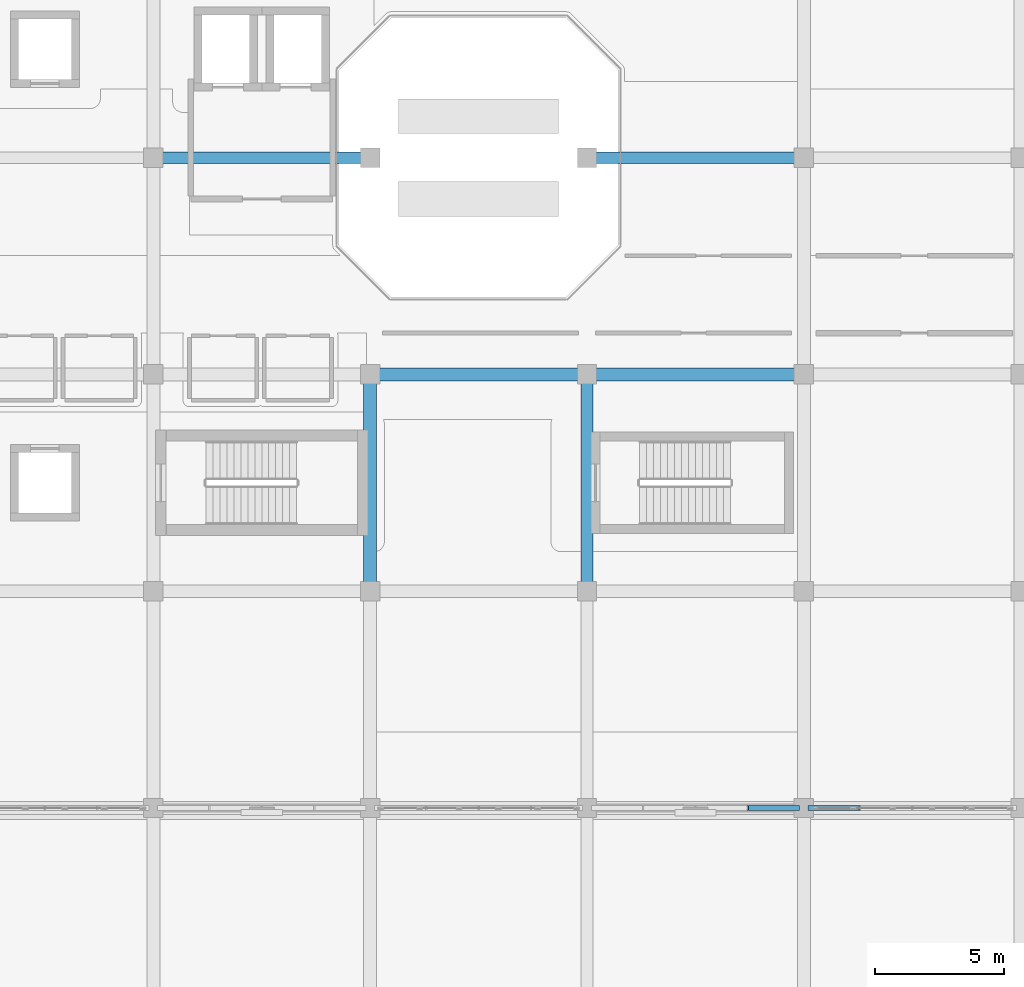
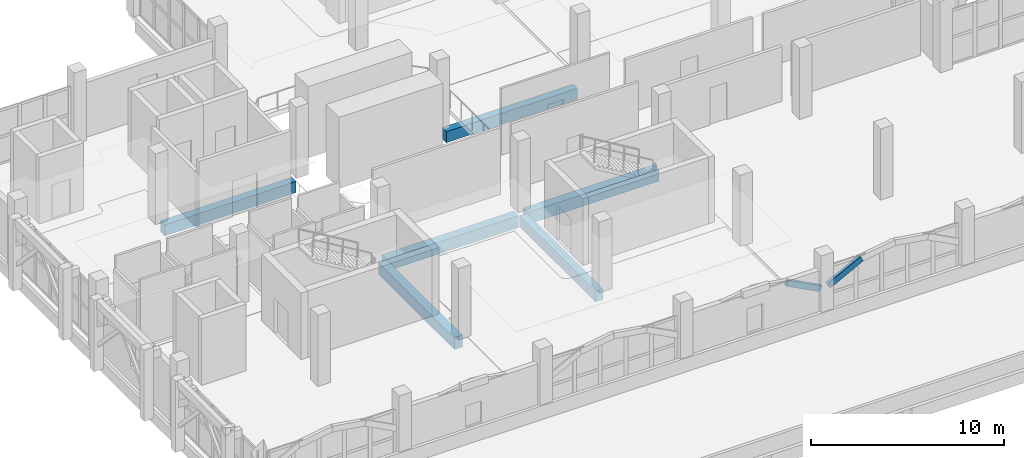
# One storey, part 46 of 114: 6 beams, 2 members.
"""IFC4 building model written with IfcOpenShell, lengths in metres."""

import ifcopenshell
import ifcopenshell.guid

model = None  # the IFC model being written
_history = None  # IfcOwnerHistory: only IFC2X3 demands one
_inside = {}  # id of a spatial element -> (the spatial element, [elements in it])
_under = {}  # id of a project, library or spatial element -> (it, [spatial elements below it])
_declared = {}  # id of a project -> (the project, [libraries it declares])
_typed = {}  # id of a type object -> (the type object, [elements of that type])
_made_of = {}  # id of a material, layer set ... -> (it, [elements and type objects made of it])


def new_model(schema):
    """Start an empty IFC model of exactly this schema.

    Asked for "IFC4X3", IfcOpenShell would pick the latest addendum, in which some entities
    have other attributes; the version numbers below select the first issue.
    IFC2X3 requires an IfcOwnerHistory on every rooted entity: one is made here for all.
    """
    global model, _history
    if schema == "IFC4X3":
        model = ifcopenshell.file(schema_version=(4, 3, 0, 0))
    else:
        model = ifcopenshell.file(schema=schema)
    _inside.clear()
    _under.clear()
    _declared.clear()
    _typed.clear()
    _made_of.clear()
    _history = None
    if model.schema == "IFC2X3":
        org = make("IfcOrganization", Name="unknown")
        user = make(
            "IfcPersonAndOrganization",
            ThePerson=make("IfcPerson", FamilyName="unknown"),
            TheOrganization=org,
        )
        app = make(
            "IfcApplication",
            ApplicationDeveloper=org,
            Version="unknown",
            ApplicationFullName="unknown",
            ApplicationIdentifier="unknown",
        )
        _history = make(
            "IfcOwnerHistory",
            OwningUser=user,
            OwningApplication=app,
            ChangeAction="ADDED",
            CreationDate=0,
        )
    return model


def make(cls, **values):
    """One entity of the class cls with the attributes given. An attribute that is None is left unset."""
    return model.create_entity(
        cls, **{name: value for name, value in values.items() if value is not None}
    )


def rooted(cls, **values):
    """An entity with a GlobalId (a new one), such as an element, a storey or a relation."""
    return make(cls, GlobalId=ifcopenshell.guid.new(), OwnerHistory=_history, **values)


def si_unit(unit_type, name, prefix=None):
    """IfcSIUnit, for example si_unit("LENGTHUNIT", "METRE", prefix="MILLI")."""
    return make("IfcSIUnit", UnitType=unit_type, Prefix=prefix, Name=name)


def assignment(units):
    """IfcUnitAssignment: the units of a project."""
    return None if units is None else make("IfcUnitAssignment", Units=units)


def point(xyz):
    """IfcCartesianPoint."""
    return None if xyz is None else make("IfcCartesianPoint", Coordinates=xyz)


def direction(xyz):
    """IfcDirection."""
    return None if xyz is None else make("IfcDirection", DirectionRatios=xyz)


def frame(location, z_axis=None, x_axis=None):
    """IfcAxis2Placement3D, a coordinate frame: its origin and axes. An axis left out is left unset."""
    return make(
        "IfcAxis2Placement3D",
        Location=point(location),
        Axis=direction(z_axis),
        RefDirection=direction(x_axis),
    )


def frame_2d(location, x_axis=None):
    """IfcAxis2Placement2D, a coordinate frame in the plane: its origin and x axis."""
    return make(
        "IfcAxis2Placement2D", Location=point(location), RefDirection=direction(x_axis)
    )


def origin():
    """The frame at (0, 0, 0) with its axes left unset."""
    return frame((0.0, 0.0, 0.0))


def origin_2d():
    """The frame at (0, 0) in the plane with its x axis left unset."""
    return frame_2d((0.0, 0.0))


def place(relative_to, where):
    """IfcLocalPlacement: puts the frame where relative to a parent placement (None: the world)."""
    return make(
        "IfcLocalPlacement", PlacementRelTo=relative_to, RelativePlacement=where
    )


def context(
    kind, dimensions, precision=None, world=None, true_north=None, identifier=None
):
    """IfcGeometricRepresentationContext, for example the 3D "Model" context."""
    return make(
        "IfcGeometricRepresentationContext",
        ContextIdentifier=identifier,
        ContextType=kind,
        CoordinateSpaceDimension=dimensions,
        Precision=precision,
        WorldCoordinateSystem=world,
        TrueNorth=true_north,
    )


def subcontext(parent, identifier, kind, view, scale=None):
    """IfcGeometricRepresentationSubContext, for example "Body" below "Model"."""
    return make(
        "IfcGeometricRepresentationSubContext",
        ContextIdentifier=identifier,
        ContextType=kind,
        ParentContext=parent,
        TargetScale=scale,
        TargetView=view,
    )


def project(units=None, contexts=None):
    """IfcProject with its units and contexts."""
    return rooted(
        "IfcProject",
        Name="project",
        RepresentationContexts=contexts,
        UnitsInContext=assignment(units),
    )


def spatial(cls, under=None, at=None, **own):
    """A site, building, storey or space (cls), placed at a placement, below another one or the project."""
    s = rooted(cls, ObjectPlacement=at, **own)
    if under is not None:
        _under.setdefault(under.id(), (under, []))[1].append(s)
    return s


def profile(cls, at=None, kind="AREA", **sizes):
    """A parametric profile (cls). Its sizes go by their IFC names, for example OverallWidth=200.0."""
    return make(cls, ProfileType=kind, Position=at, **sizes)


def rectangle(**sizes):
    """IfcRectangleProfileDef."""
    return profile("IfcRectangleProfileDef", **sizes)


def extrude(swept, where, along, depth):
    """IfcExtrudedAreaSolid: the profile swept, set in the frame where, extruded along a direction by depth."""
    return make(
        "IfcExtrudedAreaSolid",
        SweptArea=swept,
        Position=where,
        ExtrudedDirection=direction(along),
        Depth=depth,
    )


def shape(context_of_items, identifier, shape_type, items):
    """IfcShapeRepresentation: the items that make up one representation, for example the "Body"."""
    return make(
        "IfcShapeRepresentation",
        ContextOfItems=context_of_items,
        RepresentationIdentifier=identifier,
        RepresentationType=shape_type,
        Items=items,
    )


def material(Name=None, Category=None):
    """IfcMaterial."""
    return make("IfcMaterial", Name=Name, Category=Category)


def material_profile(
    of_material, cross_section, Name=None, Category=None, Priority=None
):
    """IfcMaterialProfile: a cross section and its material."""
    return make(
        "IfcMaterialProfile",
        Name=Name,
        Material=of_material,
        Profile=cross_section,
        Priority=Priority,
        Category=Category,
    )


def profile_set(profiles, Name=None, composite=None):
    """IfcMaterialProfileSet."""
    return make(
        "IfcMaterialProfileSet",
        Name=Name,
        MaterialProfiles=profiles,
        CompositeProfile=composite,
    )


def made_of(thing, what):
    """Note that an element or type object is made of a material, layer set ...; save() writes the relation."""
    if what is not None:
        _made_of.setdefault(what.id(), (what, []))[1].append(thing)
    return thing


def type_object(cls, material=None, **own):
    """A type object (cls), such as IfcWallType, which elements share."""
    return made_of(rooted(cls, **own), material)


def element(
    cls,
    number,
    at=None,
    inside=None,
    cuts=None,
    type_object=None,
    material=None,
    context=None,
    identifier="Body",
    shape_type=None,
    held_by="IfcProductDefinitionShape",
    body=None,
    shapes=None,
    **own,
):
    """One element of the class cls, such as IfcWall. Its Tag is "e" and its number.

    at: its placement. inside: the storey or other place that contains it. cuts: it is an
    opening in that element (IfcRelVoidsElement). A single representation is given by context,
    identifier, shape_type and body (its items); several are given by shapes. held_by: the class
    of the entity that holds the representations. save() writes the other relations.
    """
    e = rooted(cls, Tag="e%d" % number, ObjectPlacement=at, **own)
    if body is not None:
        shapes = [shape(context, identifier, shape_type, body)]
    if shapes is not None:
        e.Representation = make(held_by, Representations=shapes)
    if inside is not None:
        _inside.setdefault(inside.id(), (inside, []))[1].append(e)
    if cuts is not None:
        rooted(
            "IfcRelVoidsElement", RelatingBuildingElement=cuts, RelatedOpeningElement=e
        )
    if type_object is not None:
        _typed.setdefault(type_object.id(), (type_object, []))[1].append(e)
    return made_of(e, material)


def aggregate(whole, parts):
    """IfcRelAggregates: a whole, such as a stair, and the parts it consists of."""
    return rooted("IfcRelAggregates", RelatingObject=whole, RelatedObjects=parts)


def save(model, path):
    """Write the relations noted so far, then the file.

    IfcRelAggregates (storeys below a building ...), IfcRelContainedInSpatialStructure (elements
    in a storey), IfcRelDefinesByType, IfcRelAssociatesMaterial and IfcRelDeclares: one each for
    every whole, place, type object, material and project.
    """
    for whole, parts in _under.values():
        aggregate(whole, parts)
    for where, things in _inside.values():
        rooted(
            "IfcRelContainedInSpatialStructure",
            RelatedElements=things,
            RelatingStructure=where,
        )
    for kind, things in _typed.values():
        rooted("IfcRelDefinesByType", RelatedObjects=things, RelatingType=kind)
    for what, things in _made_of.values():
        rooted("IfcRelAssociatesMaterial", RelatedObjects=things, RelatingMaterial=what)
    for by, libraries in _declared.values():
        rooted("IfcRelDeclares", RelatingContext=by, RelatedDefinitions=libraries)
    model.write(path)


model = new_model("IFC4")

# Units and contexts
model_context = context("Model", 3, precision=1e-05, world=origin(), true_north=direction((0.0, 1.0)))
body_context = subcontext(model_context, "Body", "Model", "MODEL_VIEW")
ifc_project = project(units=[si_unit("LENGTHUNIT", "METRE"), si_unit("AREAUNIT", "SQUARE_METRE"), si_unit("VOLUMEUNIT", "CUBIC_METRE"), si_unit("PLANEANGLEUNIT", "RADIAN"), si_unit("MASSUNIT", "GRAM", prefix="KILO")], contexts=[model_context])

# Site, building, storey
site_placement = place(None, origin())
site = spatial("IfcSite", under=ifc_project, at=site_placement, CompositionType="ELEMENT")
building_placement = place(site_placement, origin())
building = spatial("IfcBuilding", under=site, at=building_placement, Name="Xazarin Passage Department Store", CompositionType="ELEMENT")
storey_placement = place(building_placement, frame((0.0, 0.0, 14.39990234375)))
storey = spatial("IfcBuildingStorey", under=building, at=storey_placement, Name="L03", CompositionType="ELEMENT", Elevation=14.39990234375)

# Beams
ifc_material_1 = material(Name="Concrete C35/45", Category="concrete")
ifc_material_profile_1 = material_profile(ifc_material_1, rectangle(XDim=0.449951171875, YDim=0.699951171875, at=origin_2d()), Name="RC 450x700")
ifc_profile_set_1 = profile_set([ifc_material_profile_1], Name="Concrete C35/45")
beam_type_1 = type_object("IfcBeamType", Name="STR-BM-G450x700", PredefinedType="BEAM", material=ifc_profile_set_1)
for number, where, z_axis, x_axis, name in (
    (1, (8.679931640625, 93.199951171875, -0.64990234375), (1.0, 0.0, 0.0), (0.0, 1.0, 0.0), "L03 Grid Beam N/2-3"),
    (2, (25.47998046875, 93.199951171875, -0.64990234375), (1.0, 0.0, 0.0), (0.0, 1.0, 0.0), "L03 Grid Beam N/4-5"),
    (3, (25.199951171875, 76.679931640625, -0.64990234375), (0.0, 1.0, 0.0), (-1.0, 0.0, 0.0), "L03 Grid Beam 4/L-M"),
):
    element("IfcBeam", number, at=place(storey_placement, frame(where, z_axis=z_axis, x_axis=x_axis)), inside=storey, type_object=beam_type_1, Name=name, PredefinedType="BEAM", context=body_context, shape_type="SweptSolid", body=[
        extrude(rectangle(XDim=0.449951171875, YDim=0.699951171875, at=origin_2d()), origin(), (0.0, 0.0, 1.0), 7.840087890625),
    ])
ifc_material_profile_2 = material_profile(ifc_material_1, rectangle(XDim=0.5, YDim=0.75, at=origin_2d()), Name="RC 500x750")
ifc_profile_set_2 = profile_set([ifc_material_profile_2], Name="Concrete C35/45")
beam_type_2 = type_object("IfcBeamType", Name="STR-BM-SP500x750", PredefinedType="SPANDREL", material=ifc_profile_set_2)
beam_placement = place(storey_placement, frame((17.080078125, 84.800048828125, -0.6748046875), z_axis=(1.0, 0.0, 0.0), x_axis=(0.0, 1.0, 0.0)))
element("IfcBeam", 4, at=beam_placement, inside=storey, type_object=beam_type_2, Name="L03 Grid Beam M/3-4", PredefinedType="SPANDREL", context=body_context, shape_type="SweptSolid", body=[
    extrude(rectangle(XDim=0.5, YDim=0.75, at=origin_2d()), origin(), (0.0, 0.0, 1.0), 7.83984375),
])
for number, where, z_axis, x_axis, name in (
    (5, (25.47998046875, 84.800048828125, -0.6748046875), (1.0, 0.0, 0.0), (0.0, 1.0, 0.0), "L03 Grid Beam M/4-5"),
    (6, (16.800048828125, 76.679931640625, -0.6748046875), (0.0, 1.0, 0.0), (-1.0, 0.0, 0.0), "L03 Grid Beam 3/L-M"),
):
    element("IfcBeam", number, at=place(storey_placement, frame(where, z_axis=z_axis, x_axis=x_axis)), inside=storey, type_object=beam_type_2, Name=name, PredefinedType="SPANDREL", context=body_context, shape_type="SweptSolid", body=[
        extrude(rectangle(XDim=0.5, YDim=0.75, at=origin_2d()), origin(), (0.0, 0.0, 1.0), 7.840087890625),
    ])

# Members
ifc_material_2 = material(Name="Concrete C40/50", Category="concrete")
ifc_material_profile_3 = material_profile(ifc_material_2, rectangle(XDim=0.199951171875, YDim=0.360107421875, at=origin_2d()), Name="RC 200x360")
ifc_profile_set_3 = profile_set([ifc_material_profile_3], Name="Concrete C40/50")
member_type = type_object("IfcMemberType", Name="STR-MEM-ARC360", PredefinedType="CHORD", material=ifc_profile_set_3)
member_1_placement = place(storey_placement, frame((31.375, 68.0, 3.2705078125), z_axis=(0.88473311603, 0.0, -0.466097965454), x_axis=(0.0, 1.0, 0.0)))
element("IfcMember", 7, at=member_1_placement, inside=storey, type_object=member_type, Name="L03 V1 Upper Setback Pierced Arch 015.4", PredefinedType="CHORD", context=body_context, shape_type="SweptSolid", body=[
    extrude(rectangle(XDim=0.199951171875, YDim=0.360107421875, at=origin_2d()), origin(), (0.0, 0.0, 1.0), 2.232421875),
])
member_2_placement = place(storey_placement, frame((33.85009765625, 68.0, 2.22998046875), z_axis=(0.884709354127, 0.0, 0.466143066793), x_axis=(0.0, 1.0, 0.0)))
element("IfcMember", 8, at=member_2_placement, inside=storey, type_object=member_type, Name="L03 V1 Upper Setback Pierced Arch 016.1", PredefinedType="CHORD", context=body_context, shape_type="SweptSolid", body=[
    extrude(rectangle(XDim=0.199951171875, YDim=0.360107421875, at=origin_2d()), origin(), (0.0, 0.0, 1.0), 2.232177734375),
])

save(model, "model.ifc")
